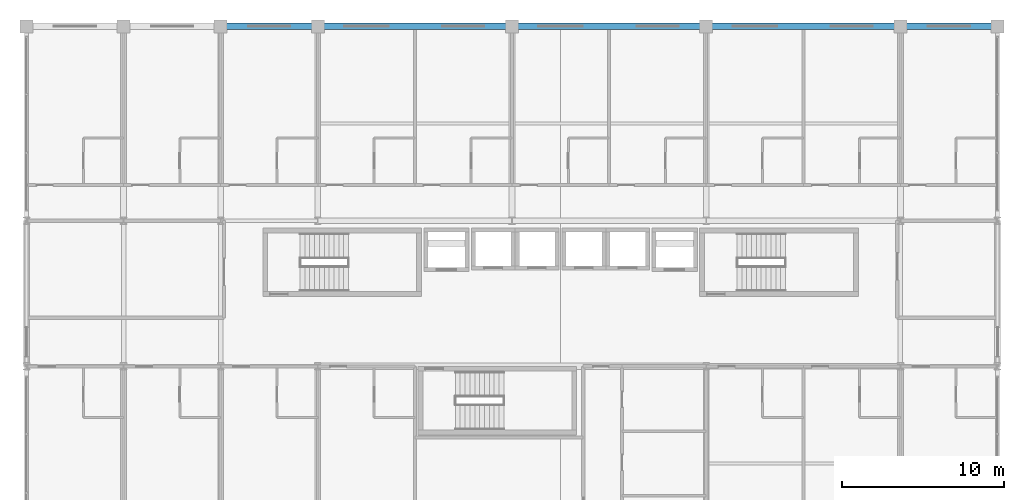
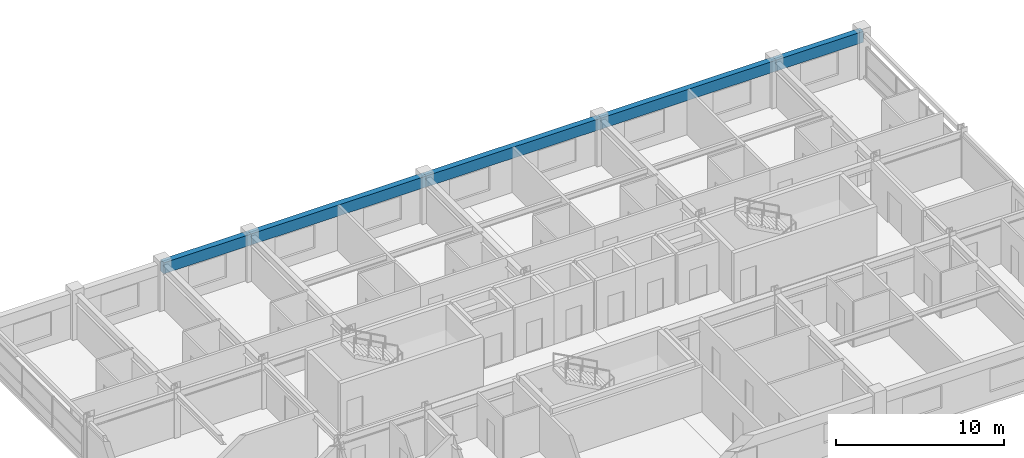
# One storey, part 18 of 26: 5 beams.
"""IFC4 building model written with IfcOpenShell, lengths in metres."""

from ifc_helpers import new_model, si_unit, direction, frame, origin, origin_2d, place, context, subcontext, project, spatial, rectangle, extrude, material, material_profile, profile_set, type_object, element, save


model = new_model("IFC4")

# Units and contexts
model_context = context("Model", 3, precision=1e-05, world=origin(), true_north=direction((0.0, 1.0)))
body_context = subcontext(model_context, "Body", "Model", "MODEL_VIEW")
ifc_project = project(units=[si_unit("LENGTHUNIT", "METRE"), si_unit("AREAUNIT", "SQUARE_METRE"), si_unit("VOLUMEUNIT", "CUBIC_METRE"), si_unit("PLANEANGLEUNIT", "RADIAN"), si_unit("MASSUNIT", "GRAM", prefix="KILO")], contexts=[model_context])

# Site, building, storey
site_placement = place(None, origin())
site = spatial("IfcSite", under=ifc_project, at=site_placement, CompositionType="ELEMENT")
building_placement = place(site_placement, origin())
building = spatial("IfcBuilding", under=site, at=building_placement, Name="Kaldorvane Square Convention Centre", CompositionType="ELEMENT")
storey_placement = place(building_placement, frame((0.0, 0.0, 45.600006103515625)))
storey = spatial("IfcBuildingStorey", under=building, at=storey_placement, Name="L10", CompositionType="ELEMENT", Elevation=45.600006103515625)

# Beams
ifc_material = material(Name="Concrete f'c = 42 MPa (Normalweight)", Category="concrete")
ifc_material_profile = material_profile(ifc_material, rectangle(XDim=0.399993896484375, YDim=0.8000030517578125, at=origin_2d()), Name="RCSP800X400")
ifc_profile_set = profile_set([ifc_material_profile], Name="Concrete f'c = 42 MPa (Normalweight)")
beam_type = type_object("IfcBeamType", Name="BM-SP-RC800", PredefinedType="SPANDREL", material=ifc_profile_set)
beam_1_placement = place(storey_placement, frame((36.0, 117.0, 2.885986328125), z_axis=(1.0, 0.0, 0.0), x_axis=(0.0, 1.0, 0.0)))
element("IfcBeam", 1, at=beam_1_placement, inside=storey, type_object=beam_type, Name="Perimeter Spandrel (L10)", PredefinedType="SPANDREL", context=body_context, shape_type="SweptSolid", body=[
    extrude(rectangle(XDim=0.399993896484375, YDim=0.8000030517578125, at=origin_2d()), origin(), (0.0, 0.0, 1.0), 6.0),
])
for number, where, z_axis, x_axis, name in (
    (2, (42.0, 117.0, 2.885986328125), (1.0, 0.0, 0.0), (0.0, 1.0, 0.0), "Perimeter Spandrel (L10)"),
    (3, (54.0, 117.0, 2.885986328125), (1.0, 0.0, 0.0), (0.0, 1.0, 0.0), "Perimeter Spandrel (L10)"),
    (4, (66.0, 117.0, 2.885986328125), (1.0, 0.0, 0.0), (0.0, 1.0, 0.0), "Perimeter Spandrel (L10)"),
):
    element("IfcBeam", number, at=place(storey_placement, frame(where, z_axis=z_axis, x_axis=x_axis)), inside=storey, type_object=beam_type, Name=name, PredefinedType="SPANDREL", context=body_context, shape_type="SweptSolid", body=[
        extrude(rectangle(XDim=0.399993896484375, YDim=0.8000030517578125, at=origin_2d()), origin(), (0.0, 0.0, 1.0), 12.0),
    ])
beam_2_placement = place(storey_placement, frame((78.0, 117.0, 2.885986328125), z_axis=(1.0, 0.0, 0.0), x_axis=(0.0, 1.0, 0.0)))
element("IfcBeam", 5, at=beam_2_placement, inside=storey, type_object=beam_type, Name="Perimeter Spandrel (L10)", PredefinedType="SPANDREL", context=body_context, shape_type="SweptSolid", body=[
    extrude(rectangle(XDim=0.399993896484375, YDim=0.8000030517578125, at=origin_2d()), origin(), (0.0, 0.0, 1.0), 6.0),
])

save(model, "model.ifc")
